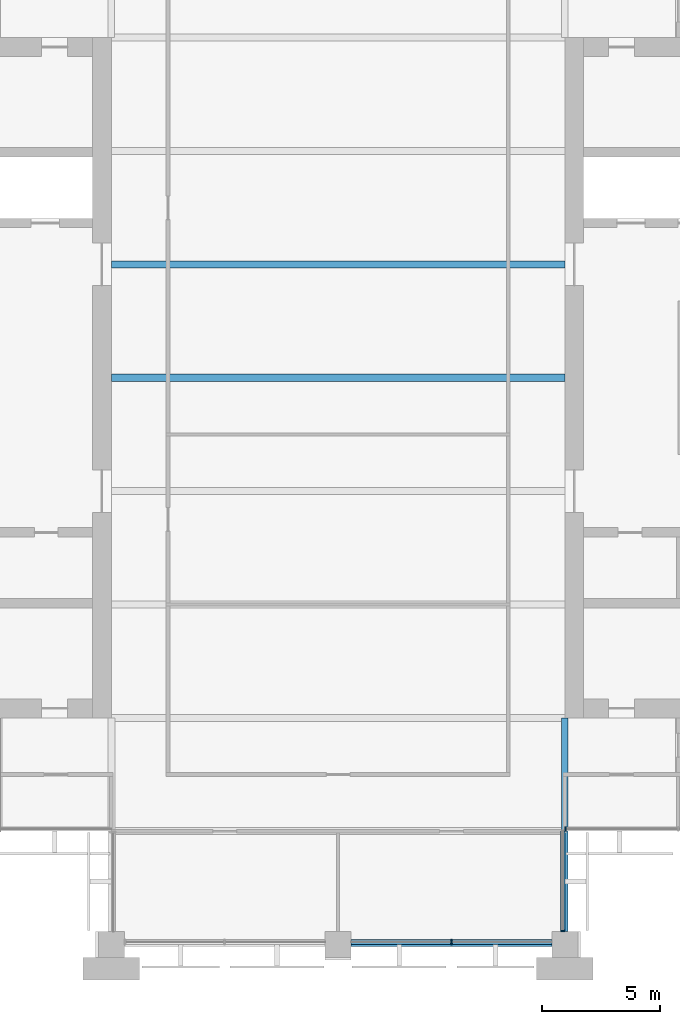
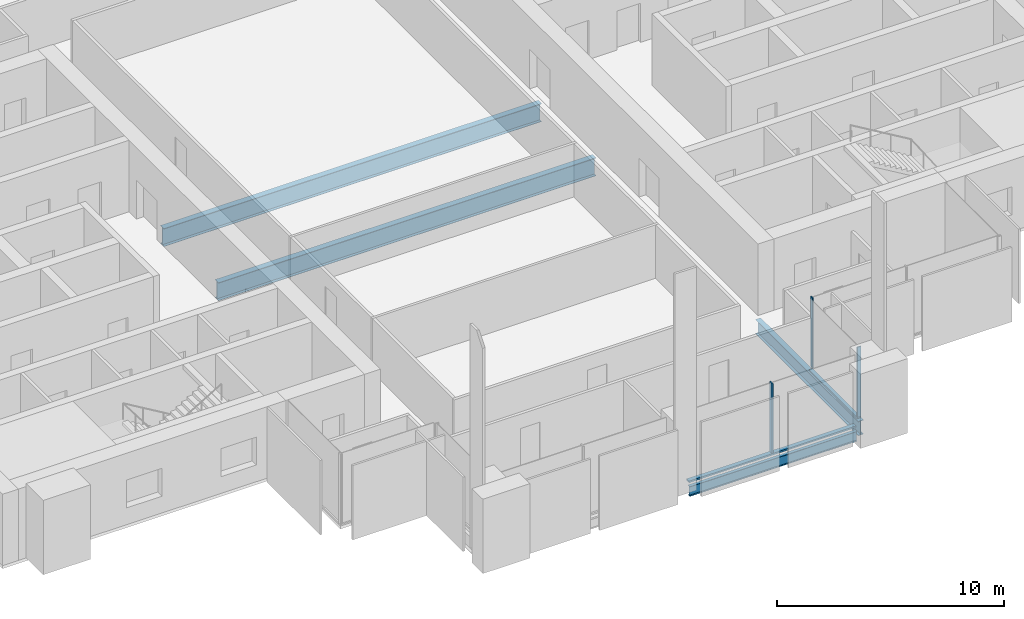
# One storey, part 3 of 13: 5 members, 4 beams, 3 elements without a shape of their own.
"""IFC4 building model written with IfcOpenShell, lengths in metres."""

import ifcopenshell
import ifcopenshell.guid

model = None  # the IFC model being written
_history = None  # IfcOwnerHistory: only IFC2X3 demands one
_inside = {}  # id of a spatial element -> (the spatial element, [elements in it])
_under = {}  # id of a project, library or spatial element -> (it, [spatial elements below it])
_declared = {}  # id of a project -> (the project, [libraries it declares])
_typed = {}  # id of a type object -> (the type object, [elements of that type])
_made_of = {}  # id of a material, layer set ... -> (it, [elements and type objects made of it])


def new_model(schema):
    """Start an empty IFC model of exactly this schema.

    Asked for "IFC4X3", IfcOpenShell would pick the latest addendum, in which some entities
    have other attributes; the version numbers below select the first issue.
    IFC2X3 requires an IfcOwnerHistory on every rooted entity: one is made here for all.
    """
    global model, _history
    if schema == "IFC4X3":
        model = ifcopenshell.file(schema_version=(4, 3, 0, 0))
    else:
        model = ifcopenshell.file(schema=schema)
    _inside.clear()
    _under.clear()
    _declared.clear()
    _typed.clear()
    _made_of.clear()
    _history = None
    if model.schema == "IFC2X3":
        org = make("IfcOrganization", Name="unknown")
        user = make(
            "IfcPersonAndOrganization",
            ThePerson=make("IfcPerson", FamilyName="unknown"),
            TheOrganization=org,
        )
        app = make(
            "IfcApplication",
            ApplicationDeveloper=org,
            Version="unknown",
            ApplicationFullName="unknown",
            ApplicationIdentifier="unknown",
        )
        _history = make(
            "IfcOwnerHistory",
            OwningUser=user,
            OwningApplication=app,
            ChangeAction="ADDED",
            CreationDate=0,
        )
    return model


def make(cls, **values):
    """One entity of the class cls with the attributes given. An attribute that is None is left unset."""
    return model.create_entity(
        cls, **{name: value for name, value in values.items() if value is not None}
    )


def rooted(cls, **values):
    """An entity with a GlobalId (a new one), such as an element, a storey or a relation."""
    return make(cls, GlobalId=ifcopenshell.guid.new(), OwnerHistory=_history, **values)


def si_unit(unit_type, name, prefix=None):
    """IfcSIUnit, for example si_unit("LENGTHUNIT", "METRE", prefix="MILLI")."""
    return make("IfcSIUnit", UnitType=unit_type, Prefix=prefix, Name=name)


def assignment(units):
    """IfcUnitAssignment: the units of a project."""
    return None if units is None else make("IfcUnitAssignment", Units=units)


def point(xyz):
    """IfcCartesianPoint."""
    return None if xyz is None else make("IfcCartesianPoint", Coordinates=xyz)


def direction(xyz):
    """IfcDirection."""
    return None if xyz is None else make("IfcDirection", DirectionRatios=xyz)


def frame(location, z_axis=None, x_axis=None):
    """IfcAxis2Placement3D, a coordinate frame: its origin and axes. An axis left out is left unset."""
    return make(
        "IfcAxis2Placement3D",
        Location=point(location),
        Axis=direction(z_axis),
        RefDirection=direction(x_axis),
    )


def frame_2d(location, x_axis=None):
    """IfcAxis2Placement2D, a coordinate frame in the plane: its origin and x axis."""
    return make(
        "IfcAxis2Placement2D", Location=point(location), RefDirection=direction(x_axis)
    )


def origin():
    """The frame at (0, 0, 0) with its axes left unset."""
    return frame((0.0, 0.0, 0.0))


def origin_2d():
    """The frame at (0, 0) in the plane with its x axis left unset."""
    return frame_2d((0.0, 0.0))


def place(relative_to, where):
    """IfcLocalPlacement: puts the frame where relative to a parent placement (None: the world)."""
    return make(
        "IfcLocalPlacement", PlacementRelTo=relative_to, RelativePlacement=where
    )


def context(
    kind, dimensions, precision=None, world=None, true_north=None, identifier=None
):
    """IfcGeometricRepresentationContext, for example the 3D "Model" context."""
    return make(
        "IfcGeometricRepresentationContext",
        ContextIdentifier=identifier,
        ContextType=kind,
        CoordinateSpaceDimension=dimensions,
        Precision=precision,
        WorldCoordinateSystem=world,
        TrueNorth=true_north,
    )


def subcontext(parent, identifier, kind, view, scale=None):
    """IfcGeometricRepresentationSubContext, for example "Body" below "Model"."""
    return make(
        "IfcGeometricRepresentationSubContext",
        ContextIdentifier=identifier,
        ContextType=kind,
        ParentContext=parent,
        TargetScale=scale,
        TargetView=view,
    )


def project(units=None, contexts=None):
    """IfcProject with its units and contexts."""
    return rooted(
        "IfcProject",
        Name="project",
        RepresentationContexts=contexts,
        UnitsInContext=assignment(units),
    )


def spatial(cls, under=None, at=None, **own):
    """A site, building, storey or space (cls), placed at a placement, below another one or the project."""
    s = rooted(cls, ObjectPlacement=at, **own)
    if under is not None:
        _under.setdefault(under.id(), (under, []))[1].append(s)
    return s


def profile(cls, at=None, kind="AREA", **sizes):
    """A parametric profile (cls). Its sizes go by their IFC names, for example OverallWidth=200.0."""
    return make(cls, ProfileType=kind, Position=at, **sizes)


def rectangle(**sizes):
    """IfcRectangleProfileDef."""
    return profile("IfcRectangleProfileDef", **sizes)


def i_section(**sizes):
    """IfcIShapeProfileDef."""
    return profile("IfcIShapeProfileDef", **sizes)


def extrude(swept, where, along, depth):
    """IfcExtrudedAreaSolid: the profile swept, set in the frame where, extruded along a direction by depth."""
    return make(
        "IfcExtrudedAreaSolid",
        SweptArea=swept,
        Position=where,
        ExtrudedDirection=direction(along),
        Depth=depth,
    )


def shape(context_of_items, identifier, shape_type, items):
    """IfcShapeRepresentation: the items that make up one representation, for example the "Body"."""
    return make(
        "IfcShapeRepresentation",
        ContextOfItems=context_of_items,
        RepresentationIdentifier=identifier,
        RepresentationType=shape_type,
        Items=items,
    )


def material(Name=None, Category=None):
    """IfcMaterial."""
    return make("IfcMaterial", Name=Name, Category=Category)


def material_profile(
    of_material, cross_section, Name=None, Category=None, Priority=None
):
    """IfcMaterialProfile: a cross section and its material."""
    return make(
        "IfcMaterialProfile",
        Name=Name,
        Material=of_material,
        Profile=cross_section,
        Priority=Priority,
        Category=Category,
    )


def profile_set(profiles, Name=None, composite=None):
    """IfcMaterialProfileSet."""
    return make(
        "IfcMaterialProfileSet",
        Name=Name,
        MaterialProfiles=profiles,
        CompositeProfile=composite,
    )


def made_of(thing, what):
    """Note that an element or type object is made of a material, layer set ...; save() writes the relation."""
    if what is not None:
        _made_of.setdefault(what.id(), (what, []))[1].append(thing)
    return thing


def type_object(cls, material=None, **own):
    """A type object (cls), such as IfcWallType, which elements share."""
    return made_of(rooted(cls, **own), material)


def element(
    cls,
    number,
    at=None,
    inside=None,
    cuts=None,
    type_object=None,
    material=None,
    context=None,
    identifier="Body",
    shape_type=None,
    held_by="IfcProductDefinitionShape",
    body=None,
    shapes=None,
    **own,
):
    """One element of the class cls, such as IfcWall. Its Tag is "e" and its number.

    at: its placement. inside: the storey or other place that contains it. cuts: it is an
    opening in that element (IfcRelVoidsElement). A single representation is given by context,
    identifier, shape_type and body (its items); several are given by shapes. held_by: the class
    of the entity that holds the representations. save() writes the other relations.
    """
    e = rooted(cls, Tag="e%d" % number, ObjectPlacement=at, **own)
    if body is not None:
        shapes = [shape(context, identifier, shape_type, body)]
    if shapes is not None:
        e.Representation = make(held_by, Representations=shapes)
    if inside is not None:
        _inside.setdefault(inside.id(), (inside, []))[1].append(e)
    if cuts is not None:
        rooted(
            "IfcRelVoidsElement", RelatingBuildingElement=cuts, RelatedOpeningElement=e
        )
    if type_object is not None:
        _typed.setdefault(type_object.id(), (type_object, []))[1].append(e)
    return made_of(e, material)


def aggregate(whole, parts):
    """IfcRelAggregates: a whole, such as a stair, and the parts it consists of."""
    return rooted("IfcRelAggregates", RelatingObject=whole, RelatedObjects=parts)


def save(model, path):
    """Write the relations noted so far, then the file.

    IfcRelAggregates (storeys below a building ...), IfcRelContainedInSpatialStructure (elements
    in a storey), IfcRelDefinesByType, IfcRelAssociatesMaterial and IfcRelDeclares: one each for
    every whole, place, type object, material and project.
    """
    for whole, parts in _under.values():
        aggregate(whole, parts)
    for where, things in _inside.values():
        rooted(
            "IfcRelContainedInSpatialStructure",
            RelatedElements=things,
            RelatingStructure=where,
        )
    for kind, things in _typed.values():
        rooted("IfcRelDefinesByType", RelatedObjects=things, RelatingType=kind)
    for what, things in _made_of.values():
        rooted("IfcRelAssociatesMaterial", RelatedObjects=things, RelatingMaterial=what)
    for by, libraries in _declared.values():
        rooted("IfcRelDeclares", RelatingContext=by, RelatedDefinitions=libraries)
    model.write(path)


model = new_model("IFC4")

# Units and contexts
model_context = context("Model", 3, precision=1e-05, world=origin(), true_north=direction((0.0, 1.0)))
body_context = subcontext(model_context, "Body", "Model", "MODEL_VIEW")
ifc_project = project(units=[si_unit("LENGTHUNIT", "METRE"), si_unit("AREAUNIT", "SQUARE_METRE"), si_unit("VOLUMEUNIT", "CUBIC_METRE"), si_unit("PLANEANGLEUNIT", "RADIAN"), si_unit("MASSUNIT", "GRAM", prefix="KILO")], contexts=[model_context])

# Site, building, storey
site_placement = place(None, origin())
site = spatial("IfcSite", under=ifc_project, at=site_placement, CompositionType="ELEMENT")
building_placement = place(site_placement, origin())
building = spatial("IfcBuilding", under=site, at=building_placement, Name="Baori Bourse Tower", CompositionType="ELEMENT")
storey_placement = place(building_placement, frame((0.0, 0.0, 213.199951171875)))
storey = spatial("IfcBuildingStorey", under=building, at=storey_placement, Name="L46", CompositionType="ELEMENT", Elevation=213.199951171875)

# Curtain wall, member
ifc_material_1 = material(Name="Pale anodised aluminium", Category="aluminium")
curtain_wall_type_1 = type_object("IfcCurtainWallType", Name="CW2 Curtain wall", PredefinedType="NOTDEFINED", material=ifc_material_1)
curtain_wall_1_placement = place(storey_placement, origin())
curtain_wall_1 = element("IfcCurtainWall", 1, at=curtain_wall_1_placement, inside=storey, type_object=curtain_wall_type_1, Name="Curtain wall CW2 L46 12", PredefinedType="NOTDEFINED")
ifc_material_2 = material(Name="Pale anodised aluminium", Category="aluminium")
ifc_material_profile_1 = material_profile(ifc_material_2, rectangle(XDim=0.179931640625, YDim=0.054931640625, at=origin_2d()), Name="Mullion 55x180")
ifc_profile_set_1 = profile_set([ifc_material_profile_1], Name="Pale anodised aluminium")
member_type_1 = type_object("IfcMemberType", Name="CW2 Curtain wall mullion", PredefinedType="MULLION", material=ifc_profile_set_1)
member_1_placement = place(storey_placement, frame((38.31005859375, 0.577392578125, 0.070068359375), z_axis=(0.0, 0.0, 1.0), x_axis=(-1.0, 0.0, 0.0)))
member_1 = element("IfcMember", 2, at=member_1_placement, type_object=member_type_1, Name="Curtain wall CW2 mullion", PredefinedType="MULLION", context=body_context, shape_type="SweptSolid", body=[
    extrude(rectangle(XDim=0.179931640625, YDim=0.054931640625, at=origin_2d()), origin(), (0.0, 0.0, 1.0), 3.77001953125),
])

curtain_wall_2_placement = place(storey_placement, origin())
curtain_wall_2 = element("IfcCurtainWall", 3, at=curtain_wall_2_placement, inside=storey, type_object=curtain_wall_type_1, Name="Curtain wall CW2 L46 13", PredefinedType="NOTDEFINED")
member_2_placement = place(storey_placement, frame((38.427490234375, 4.889892578125, 0.070068359375), z_axis=(0.0, 0.0, 1.0), x_axis=(0.0, 1.0, 0.0)))
member_2 = element("IfcMember", 4, at=member_2_placement, type_object=member_type_1, Name="Curtain wall CW2 mullion", PredefinedType="MULLION", context=body_context, shape_type="SweptSolid", body=[
    extrude(rectangle(XDim=0.179931640625, YDim=0.054931640625, at=origin_2d()), origin(), (0.0, 0.0, 1.0), 3.77001953125),
])
aggregate(curtain_wall_2, [member_2])

# Member
ifc_material_3 = material(Name="Pale anodised aluminium", Category="aluminium")
ifc_material_profile_2 = material_profile(ifc_material_3, rectangle(XDim=0.179931640625, YDim=0.070068359375, at=origin_2d()), Name="Transom 70x180")
ifc_profile_set_2 = profile_set([ifc_material_profile_2], Name="Pale anodised aluminium")
member_type_2 = type_object("IfcMemberType", Name="CW2 Curtain wall transom", PredefinedType="USERDEFINED", material=ifc_profile_set_2)
member_3_placement = place(storey_placement, frame((38.31005859375, 0.550048828125, 0.03515625), z_axis=(0.0, 1.0, 0.0), x_axis=(-1.0, 0.0, 0.0)))
member_3 = element("IfcMember", 5, at=member_3_placement, type_object=member_type_2, Name="Curtain wall CW2 sill rail", ObjectType="TRANSOM", PredefinedType="USERDEFINED", context=body_context, shape_type="SweptSolid", body=[
    extrude(rectangle(XDim=0.179931640625, YDim=0.070068359375, at=origin_2d()), origin(), (0.0, 0.0, 1.0), 4.25),
])

aggregate(curtain_wall_1, [member_3, member_1])

# Curtain wall, members
ifc_material_4 = material(Name="Pale anodised aluminium", Category="aluminium")
curtain_wall_type_2 = type_object("IfcCurtainWallType", Name="CW5 Curtain wall", PredefinedType="NOTDEFINED", material=ifc_material_4)
curtain_wall_3_placement = place(storey_placement, origin())
curtain_wall_3 = element("IfcCurtainWall", 6, at=curtain_wall_3_placement, inside=storey, type_object=curtain_wall_type_2, Name="Curtain wall CW5 L46 11", PredefinedType="NOTDEFINED")
ifc_material_5 = material(Name="Pale anodised aluminium", Category="aluminium")
ifc_material_profile_3 = material_profile(ifc_material_5, rectangle(XDim=0.219970703125, YDim=0.06494140625, at=origin_2d()), Name="Mullion 65x220")
ifc_profile_set_3 = profile_set([ifc_material_profile_3], Name="Pale anodised aluminium")
member_type_3 = type_object("IfcMemberType", Name="CW5 Curtain wall mullion", PredefinedType="MULLION", material=ifc_profile_set_3)
member_4_placement = place(storey_placement, frame((33.60009765625, 0.110107421875, 0.0849609375), z_axis=(0.0, 0.0, 1.0), x_axis=(0.0, 1.0, 0.0)))
member_4 = element("IfcMember", 7, at=member_4_placement, type_object=member_type_3, Name="Curtain wall CW5 mullion", PredefinedType="MULLION", context=body_context, shape_type="SweptSolid", body=[
    extrude(rectangle(XDim=0.219970703125, YDim=0.06494140625, at=origin_2d()), origin(), (0.0, 0.0, 1.0), 3.755126953125),
])
ifc_material_6 = material(Name="Pale anodised aluminium", Category="aluminium")
ifc_material_profile_4 = material_profile(ifc_material_6, rectangle(XDim=0.219970703125, YDim=0.0849609375, at=origin_2d()), Name="Transom 85x220")
ifc_profile_set_4 = profile_set([ifc_material_profile_4], Name="Pale anodised aluminium")
member_type_4 = type_object("IfcMemberType", Name="CW5 Curtain wall transom", PredefinedType="USERDEFINED", material=ifc_profile_set_4)
member_5_placement = place(storey_placement, frame((29.35009765625, 0.110107421875, 0.04248046875), z_axis=(1.0, 0.0, 0.0), x_axis=(0.0, 1.0, 0.0)))
member_5 = element("IfcMember", 8, at=member_5_placement, type_object=member_type_4, Name="Curtain wall CW5 sill rail", ObjectType="TRANSOM", PredefinedType="USERDEFINED", context=body_context, shape_type="SweptSolid", body=[
    extrude(rectangle(XDim=0.219970703125, YDim=0.0849609375, at=origin_2d()), origin(), (0.0, 0.0, 1.0), 8.5),
])
aggregate(curtain_wall_3, [member_5, member_4])

# Beams
ifc_material_7 = material(Name="Steel A992 Gr 50", Category="steel")
ifc_material_profile_5 = material_profile(ifc_material_7, i_section(OverallWidth=0.1650390625, OverallDepth=0.52587890625, WebThickness=0.0087890625, FlangeThickness=0.011474609375, at=origin_2d()), Name="W21x44")
ifc_profile_set_5 = profile_set([ifc_material_profile_5], Name="Steel A992 Gr 50")
beam_type_1 = type_object("IfcBeamType", Name="Edge beam W21x44", PredefinedType="BEAM", material=ifc_profile_set_5)
beam_1_placement = place(storey_placement, frame((29.35009765625, 0.0, -0.4228515625), z_axis=(1.0, 0.0, 0.0), x_axis=(0.0, 1.0, 0.0)))
element("IfcBeam", 9, at=beam_1_placement, inside=storey, type_object=beam_type_1, Name="Edge beam L46", PredefinedType="BEAM", context=body_context, shape_type="SweptSolid", body=[
    extrude(i_section(OverallWidth=0.1650390625, OverallDepth=0.52587890625, WebThickness=0.0087890625, FlangeThickness=0.011474609375, at=origin_2d()), origin(), (0.0, 0.0, 1.0), 8.5),
])
ifc_material_8 = material(Name="Steel A992 Gr 50", Category="steel")
ifc_material_profile_6 = material_profile(ifc_material_8, i_section(OverallWidth=0.2998046875, OverallDepth=0.97021484375, WebThickness=0.01611328125, FlangeThickness=0.02099609375, at=origin_2d()), Name="W40x149")
ifc_profile_set_6 = profile_set([ifc_material_profile_6], Name="Steel A992 Gr 50")
beam_type_2 = type_object("IfcBeamType", Name="Floor beam W40x149", PredefinedType="BEAM", material=ifc_profile_set_6)
for number, where, z_axis, x_axis, name in (
    (10, (19.199951171875, 24.0, -0.64501953125), (1.0, 0.0, 0.0), (0.0, 1.0, 0.0), "Floor beam L46"),
    (11, (19.199951171875, 28.800048828125, -0.64501953125), (1.0, 0.0, 0.0), (0.0, 1.0, 0.0), "Floor beam L46"),
):
    element("IfcBeam", number, at=place(storey_placement, frame(where, z_axis=z_axis, x_axis=x_axis)), inside=storey, type_object=beam_type_2, Name=name, PredefinedType="BEAM", context=body_context, shape_type="SweptSolid", body=[
        extrude(i_section(OverallWidth=0.2998046875, OverallDepth=0.97021484375, WebThickness=0.01611328125, FlangeThickness=0.02099609375, at=origin_2d()), origin(), (0.0, 0.0, 1.0), 19.199951171875),
    ])
ifc_material_9 = material(Name="Steel A992 Gr 50", Category="steel")
ifc_material_profile_7 = material_profile(ifc_material_9, i_section(OverallWidth=0.2666015625, OverallDepth=0.76953125, WebThickness=0.015625, FlangeThickness=0.025390625, at=origin_2d()), Name="W30x132")
ifc_profile_set_7 = profile_set([ifc_material_profile_7], Name="Steel A992 Gr 50")
beam_type_3 = type_object("IfcBeamType", Name="Girder W30x132", PredefinedType="BEAM", material=ifc_profile_set_7)
beam_2_placement = place(storey_placement, frame((38.39990234375, 0.550048828125, -0.544677734375), z_axis=(0.0, 1.0, 0.0), x_axis=(-1.0, 0.0, 0.0)))
element("IfcBeam", 12, at=beam_2_placement, inside=storey, type_object=beam_type_3, Name="Girder L46", PredefinedType="BEAM", context=body_context, shape_type="SweptSolid", body=[
    extrude(i_section(OverallWidth=0.2666015625, OverallDepth=0.76953125, WebThickness=0.015625, FlangeThickness=0.025390625, at=origin_2d()), origin(), (0.0, 0.0, 1.0), 9.050048828125),
])

save(model, "model.ifc")
